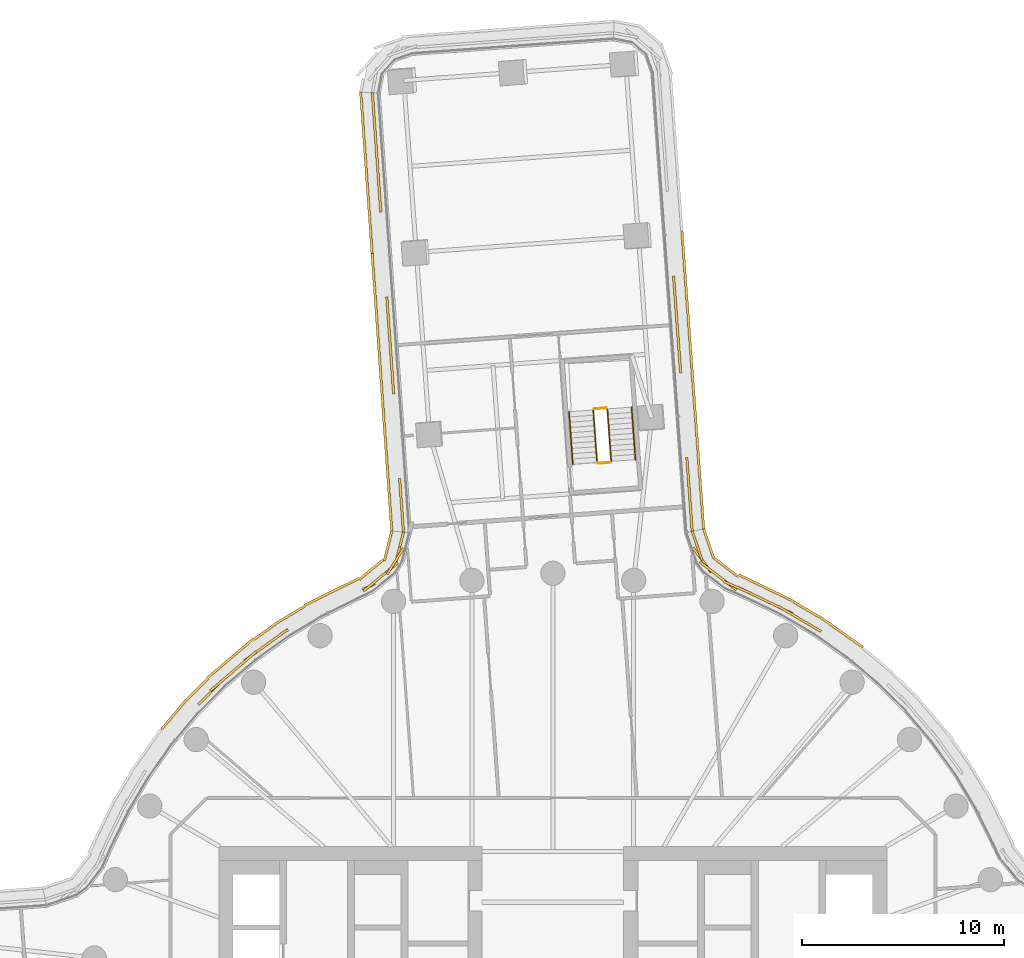
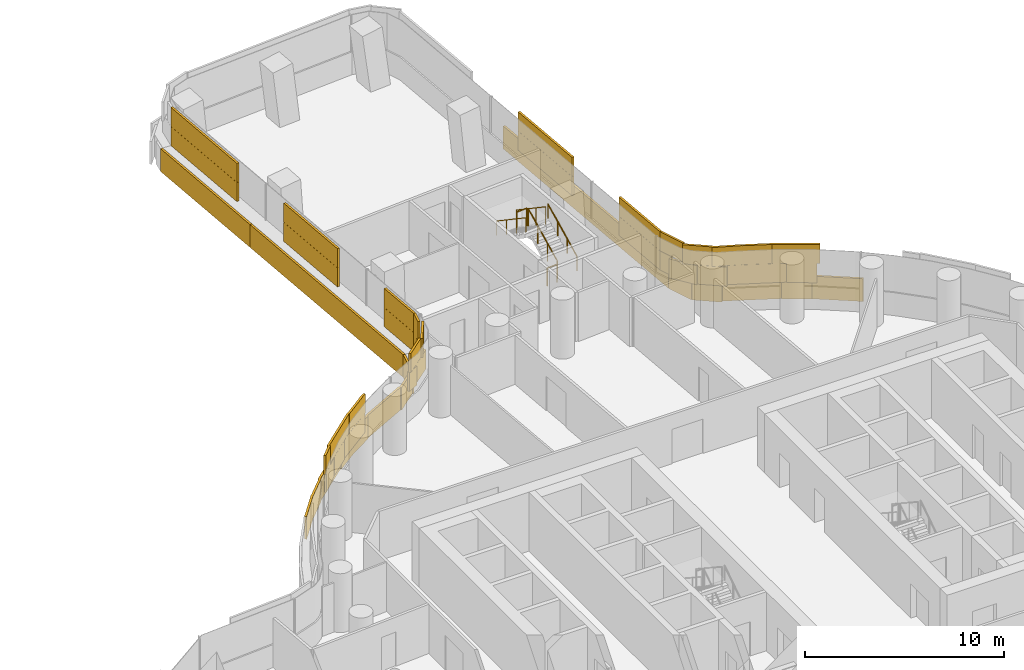
# One storey, part 30 of 31: 6 railings, 5 coverings.
"""IFC4 building model written with IfcOpenShell, lengths in metres."""

from ifc_helpers import new_model, si_unit, direction, frame, origin, origin_2d, place, context, subcontext, project, spatial, rectangle, circle, extrude, material, layer, layer_set, type_object, element, save


model = new_model("IFC4")

# Units and contexts
model_context = context("Model", 3, precision=1e-05, world=origin(), true_north=direction((0.0, 1.0)))
body_context = subcontext(model_context, "Body", "Model", "MODEL_VIEW")
ifc_project = project(units=[si_unit("LENGTHUNIT", "METRE"), si_unit("AREAUNIT", "SQUARE_METRE"), si_unit("VOLUMEUNIT", "CUBIC_METRE"), si_unit("PLANEANGLEUNIT", "RADIAN"), si_unit("MASSUNIT", "GRAM", prefix="KILO")], contexts=[model_context])

# Site, building, storey
site_placement = place(None, origin())
site = spatial("IfcSite", under=ifc_project, at=site_placement, CompositionType="ELEMENT")
building_placement = place(site_placement, origin())
building = spatial("IfcBuilding", under=site, at=building_placement, Name="Tamarind Cross Interchange Tower", CompositionType="ELEMENT")
storey_placement = place(building_placement, frame((0.0, 0.0, 49.0)))
storey = spatial("IfcBuildingStorey", under=building, at=storey_placement, Name="L10", CompositionType="ELEMENT", Elevation=49.0)

# Railings
ifc_material_1 = material(Name="Stair guard")
railing_type_1 = type_object("IfcRailingType", Name="Stair guard", PredefinedType="GUARDRAIL", material=ifc_material_1)
railing_1_placement = place(storey_placement, frame((2.882080078125, 28.52734375, 0.17041015625)))
element("IfcRailing", 1, at=railing_1_placement, inside=storey, type_object=railing_type_1, Name="L10 ST4 stair guard 1", PredefinedType="GUARDRAIL", context=body_context, shape_type="SweptSolid", body=[
    extrude(circle(Radius=0.02392578125, at=origin_2d()), frame((0.0, 0.0, 1.076171875), z_axis=(-0.061017194995, 0.834058723343, 0.548290933658), x_axis=(-0.997334723639, -0.072961969708, 0.0)), (0.0, 0.0, 1.0), 3.10888671875),
    extrude(circle(Radius=0.02099609375, at=origin_2d()), origin(), (0.0, 0.0, 1.0), 1.052001953125),
    extrude(circle(Radius=0.02099609375, at=origin_2d()), frame((-0.063232421875, 0.8642578125, 0.568115234375)), (0.0, 0.0, 1.0), 1.052001953125),
    extrude(circle(Radius=0.02099609375, at=origin_2d()), frame((-0.12646484375, 1.728759765625, 1.136474609375)), (0.0, 0.0, 1.0), 1.052001953125),
    extrude(circle(Radius=0.02099609375, at=origin_2d()), frame((-0.189697265625, 2.593017578125, 1.70458984375)), (0.0, 0.0, 1.0), 1.052001953125),
])
railing_2_placement = place(storey_placement, frame((2.638916015625, 31.166748046875, 1.875)))
element("IfcRailing", 2, at=railing_2_placement, inside=storey, type_object=railing_type_1, Name="L10 ST4 stair guard 2", PredefinedType="GUARDRAIL", context=body_context, shape_type="SweptSolid", body=[
    extrude(circle(Radius=0.02392578125, at=origin_2d()), frame((0.0, 0.0, 1.076171875), z_axis=(-0.997343826647, -0.072837431648, 0.0), x_axis=(0.072837431648, -0.997343826647, 0.0)), (0.0, 0.0, 1.0), 0.60009765625),
    extrude(circle(Radius=0.02099609375, at=origin_2d()), origin(), (0.0, 0.0, 1.0), 1.052001953125),
    extrude(circle(Radius=0.02099609375, at=origin_2d()), frame((-0.598388671875, -0.043701171875, 0.0)), (0.0, 0.0, 1.0), 1.052001953125),
])
railing_3_placement = place(storey_placement, frame((1.994384765625, 31.0693359375, 2.04541015625)))
element("IfcRailing", 3, at=railing_3_placement, inside=storey, type_object=railing_type_1, Name="L10 ST4 stair guard 3", PredefinedType="GUARDRAIL", context=body_context, shape_type="SweptSolid", body=[
    extrude(circle(Radius=0.02392578125, at=origin_2d()), frame((0.0, 0.0, 1.076171875), z_axis=(0.060938957596, -0.834062717302, 0.548293559194), x_axis=(0.997341552337, 0.072868566483, 0.0)), (0.0, 0.0, 1.0), 3.10888671875),
    extrude(circle(Radius=0.02099609375, at=origin_2d()), origin(), (0.0, 0.0, 1.0), 1.052001953125),
    extrude(circle(Radius=0.02099609375, at=origin_2d()), frame((0.063232421875, -0.8642578125, 0.568115234375)), (0.0, 0.0, 1.0), 1.052001953125),
    extrude(circle(Radius=0.02099609375, at=origin_2d()), frame((0.126220703125, -1.728759765625, 1.136474609375)), (0.0, 0.0, 1.0), 1.052001953125),
    extrude(circle(Radius=0.02099609375, at=origin_2d()), frame((0.189453125, -2.593017578125, 1.70458984375)), (0.0, 0.0, 1.0), 1.052001953125),
])
railing_4_placement = place(storey_placement, frame((2.835693359375, 28.473876953125, 0.0)))
element("IfcRailing", 4, at=railing_4_placement, inside=storey, type_object=railing_type_1, Name="L10 ST4 stair guard 4", PredefinedType="GUARDRAIL", context=body_context, shape_type="SweptSolid", body=[
    extrude(circle(Radius=0.02392578125, at=origin_2d()), frame((0.0, 0.0, 1.076171875), z_axis=(-0.997343826647, -0.072837431648, 0.0), x_axis=(0.072837431648, -0.997343826647, 0.0)), (0.0, 0.0, 1.0), 0.60009765625),
    extrude(circle(Radius=0.02099609375, at=origin_2d()), origin(), (0.0, 0.0, 1.0), 1.052001953125),
    extrude(circle(Radius=0.02099609375, at=origin_2d()), frame((-0.598388671875, -0.043701171875, 0.0)), (0.0, 0.0, 1.0), 1.052001953125),
])
ifc_material_2 = material(Name="Stair handrail")
railing_type_2 = type_object("IfcRailingType", Name="Stair handrail", PredefinedType="HANDRAIL", material=ifc_material_2)
railing_5_placement = place(storey_placement, frame((4.078857421875, 28.61474609375, 0.17041015625)))
element("IfcRailing", 5, at=railing_5_placement, inside=storey, type_object=railing_type_2, Name="L10 ST4 stair handrail 1", PredefinedType="HANDRAIL", context=body_context, shape_type="SweptSolid", body=[
    extrude(circle(Radius=0.02392578125, at=origin_2d()), frame((0.0, 0.0, 0.8759765625), z_axis=(-0.060934966384, 0.834086614599, 0.548257648572), x_axis=(-0.997342050875, -0.072861742749, 0.0)), (0.0, 0.0, 1.0), 3.109130859375),
    extrude(circle(Radius=0.02099609375, at=origin_2d()), origin(), (0.0, 0.0, 1.0), 0.851806640625),
    extrude(circle(Radius=0.02099609375, at=origin_2d()), frame((-0.063232421875, 0.864501953125, 0.568115234375)), (0.0, 0.0, 1.0), 0.851806640625),
    extrude(circle(Radius=0.02099609375, at=origin_2d()), frame((-0.126220703125, 1.728759765625, 1.136474609375)), (0.0, 0.0, 1.0), 0.851806640625),
    extrude(circle(Radius=0.02099609375, at=origin_2d()), frame((-0.189453125, 2.59326171875, 1.70458984375)), (0.0, 0.0, 1.0), 0.851806640625),
])
railing_6_placement = place(storey_placement, frame((0.797607421875, 30.98193359375, 2.04541015625)))
element("IfcRailing", 6, at=railing_6_placement, inside=storey, type_object=railing_type_2, Name="L10 ST4 stair handrail 2", PredefinedType="HANDRAIL", context=body_context, shape_type="SweptSolid", body=[
    extrude(circle(Radius=0.02392578125, at=origin_2d()), frame((0.0, 0.0, 0.8759765625), z_axis=(0.060938957596, -0.834062717302, 0.548293559194), x_axis=(0.997341552337, 0.072868566483, 0.0)), (0.0, 0.0, 1.0), 3.10888671875),
    extrude(circle(Radius=0.02099609375, at=origin_2d()), origin(), (0.0, 0.0, 1.0), 0.851806640625),
    extrude(circle(Radius=0.02099609375, at=origin_2d()), frame((0.063232421875, -0.8642578125, 0.568115234375)), (0.0, 0.0, 1.0), 0.851806640625),
    extrude(circle(Radius=0.02099609375, at=origin_2d()), frame((0.126220703125, -1.728759765625, 1.136474609375)), (0.0, 0.0, 1.0), 0.851806640625),
    extrude(circle(Radius=0.02099609375, at=origin_2d()), frame((0.189453125, -2.593017578125, 1.70458984375)), (0.0, 0.0, 1.0), 0.851806640625),
])

# Coverings
ifc_material_3 = material(Name="Terracotta", Category="masonry")
ifc_layer = layer(ifc_material_3, 0.1201171875)
ifc_layer_set = layer_set([ifc_layer], Name="Terracotta")
covering_type = type_object("IfcCoveringType", Name="Terracotta baguette screen unit", PredefinedType="MOLDING", material=ifc_layer_set)
covering_1_placement = place(storey_placement, origin())
element("IfcCovering", 7, at=covering_1_placement, inside=storey, type_object=covering_type, Name="SCR-L10-01-00", PredefinedType="MOLDING", context=body_context, shape_type="SweptSolid", body=[
    extrude(rectangle(XDim=1.510009765625, YDim=0.1201171875, at=origin_2d()), frame((-8.86376953125, 45.99267578125, 1.404052734375), z_axis=(0.0, 0.0, 1.0), x_axis=(0.070593780008, -0.997505146966, 0.0)), (0.0, 0.0, 1.0), 1.1669921875),
    extrude(rectangle(XDim=1.52001953125, YDim=0.1201171875, at=origin_2d()), frame((-8.7578125, 44.496337890625, 1.404052734375), z_axis=(0.0, 0.0, 1.0), x_axis=(0.070593780008, -0.997505146966, 0.0)), (0.0, 0.0, 1.0), 1.1669921875),
    extrude(rectangle(XDim=1.52001953125, YDim=0.1201171875, at=origin_2d()), frame((-8.65185546875, 43.0, 1.404052734375), z_axis=(0.0, 0.0, 1.0), x_axis=(0.070593780008, -0.997505146966, 0.0)), (0.0, 0.0, 1.0), 1.1669921875),
    extrude(rectangle(XDim=1.421630859375, YDim=0.1201171875, at=origin_2d()), frame((-8.549072265625, 41.5478515625, 1.404052734375), z_axis=(0.0, 0.0, 1.0), x_axis=(0.070593780008, -0.997505146966, 0.0)), (0.0, 0.0, 1.0), 1.1669921875),
    extrude(rectangle(XDim=0.760009765625, YDim=0.1201171875, at=origin_2d()), frame((-8.89013671875, 46.36669921875, 2.5791015625), z_axis=(0.0, 0.0, 1.0), x_axis=(0.070593780008, -0.997505146966, 0.0)), (0.0, 0.0, 1.0), 1.1669921875),
    extrude(rectangle(XDim=1.52001953125, YDim=0.1201171875, at=origin_2d()), frame((-8.810791015625, 45.244384765625, 2.5791015625), z_axis=(0.0, 0.0, 1.0), x_axis=(0.070593780008, -0.997505146966, 0.0)), (0.0, 0.0, 1.0), 1.1669921875),
    extrude(rectangle(XDim=1.52001953125, YDim=0.1201171875, at=origin_2d()), frame((-8.704833984375, 43.748291015625, 2.5791015625), z_axis=(0.0, 0.0, 1.0), x_axis=(0.070593780008, -0.997505146966, 0.0)), (0.0, 0.0, 1.0), 1.1669921875),
    extrude(rectangle(XDim=1.52001953125, YDim=0.1201171875, at=origin_2d()), frame((-8.59912109375, 42.251953125, 2.5791015625), z_axis=(0.0, 0.0, 1.0), x_axis=(0.070593780008, -0.997505146966, 0.0)), (0.0, 0.0, 1.0), 1.1669921875),
    extrude(rectangle(XDim=0.671630859375, YDim=0.1201171875, at=origin_2d()), frame((-8.522705078125, 41.173828125, 2.5791015625), z_axis=(0.0, 0.0, 1.0), x_axis=(0.070593780008, -0.997505146966, 0.0)), (0.0, 0.0, 1.0), 1.1669921875),
    extrude(rectangle(XDim=1.510009765625, YDim=0.1201171875, at=origin_2d()), frame((-9.441162109375, 46.021728515625, 0.00390625), z_axis=(0.0, 0.0, 1.0), x_axis=(0.070593780008, -0.997505146966, 0.0)), (0.0, 0.0, 1.0), 1.39208984375),
    extrude(rectangle(XDim=1.52001953125, YDim=0.1201171875, at=origin_2d()), frame((-9.335693359375, 44.530517578125, 0.00390625), z_axis=(0.0, 0.0, 1.0), x_axis=(0.070593780008, -0.997505146966, 0.0)), (0.0, 0.0, 1.0), 1.39208984375),
    extrude(rectangle(XDim=1.52001953125, YDim=0.1201171875, at=origin_2d()), frame((-9.229736328125, 43.0341796875, 0.00390625), z_axis=(0.0, 0.0, 1.0), x_axis=(0.070593780008, -0.997505146966, 0.0)), (0.0, 0.0, 1.0), 1.39208984375),
    extrude(rectangle(XDim=1.52001953125, YDim=0.1201171875, at=origin_2d()), frame((-9.1240234375, 41.5380859375, 0.00390625), z_axis=(0.0, 0.0, 1.0), x_axis=(0.070593780008, -0.997505146966, 0.0)), (0.0, 0.0, 1.0), 1.39208984375),
    extrude(rectangle(XDim=1.52001953125, YDim=0.1201171875, at=origin_2d()), frame((-9.01806640625, 40.041748046875, 0.00390625), z_axis=(0.0, 0.0, 1.0), x_axis=(0.070593780008, -0.997505146966, 0.0)), (0.0, 0.0, 1.0), 1.39208984375),
    extrude(rectangle(XDim=0.515625, YDim=0.1201171875, at=origin_2d()), frame((-8.947509765625, 39.04638671875, 0.00390625), z_axis=(0.0, 0.0, 1.0), x_axis=(0.070593780008, -0.997505146966, 0.0)), (0.0, 0.0, 1.0), 1.39208984375),
])
covering_2_placement = place(storey_placement, origin())
element("IfcCovering", 8, at=covering_2_placement, inside=storey, type_object=covering_type, Name="SCR-L10-01-01", PredefinedType="MOLDING", context=body_context, shape_type="SweptSolid", body=[
    extrude(rectangle(XDim=0.398193359375, YDim=0.1201171875, at=origin_2d()), frame((-8.189208984375, 36.46044921875, 1.404052734375), z_axis=(0.0, 0.0, 1.0), x_axis=(0.070593780008, -0.997505146966, 0.0)), (0.0, 0.0, 1.0), 1.1669921875),
    extrude(rectangle(XDim=1.52001953125, YDim=0.1201171875, at=origin_2d()), frame((-8.12255859375, 35.518798828125, 1.404052734375), z_axis=(0.0, 0.0, 1.0), x_axis=(0.070593780008, -0.997505146966, 0.0)), (0.0, 0.0, 1.0), 1.1669921875),
    extrude(rectangle(XDim=1.52001953125, YDim=0.1201171875, at=origin_2d()), frame((-8.0166015625, 34.0224609375, 1.404052734375), z_axis=(0.0, 0.0, 1.0), x_axis=(0.070593780008, -0.997505146966, 0.0)), (0.0, 0.0, 1.0), 1.1669921875),
    extrude(rectangle(XDim=1.420654296875, YDim=0.1201171875, at=origin_2d()), frame((-7.913818359375, 32.57080078125, 1.404052734375), z_axis=(0.0, 0.0, 1.0), x_axis=(0.070593780008, -0.997505146966, 0.0)), (0.0, 0.0, 1.0), 1.1669921875),
    extrude(rectangle(XDim=0.3994140625, YDim=0.1201171875, at=origin_2d()), frame((-7.553955078125, 27.4833984375, 1.404052734375), z_axis=(0.0, 0.0, 1.0), x_axis=(0.070593780008, -0.997505146966, 0.0)), (0.0, 0.0, 1.0), 1.1669921875),
    extrude(rectangle(XDim=1.52001953125, YDim=0.1201171875, at=origin_2d()), frame((-7.487060546875, 26.541259765625, 1.404052734375), z_axis=(0.0, 0.0, 1.0), x_axis=(0.070593780008, -0.997505146966, 0.0)), (0.0, 0.0, 1.0), 1.1669921875),
    extrude(rectangle(XDim=0.769287109375, YDim=0.1201171875, at=origin_2d()), frame((-7.407470703125, 25.414306640625, 1.404052734375), z_axis=(0.0, 0.0, 1.0), x_axis=(0.070593780008, -0.997505146966, 0.0)), (0.0, 0.0, 1.0), 1.1669921875),
    extrude(rectangle(XDim=1.148193359375, YDim=0.1201171875, at=origin_2d()), frame((-8.16259765625, 36.08642578125, 2.5791015625), z_axis=(0.0, 0.0, 1.0), x_axis=(0.070593780008, -0.997505146966, 0.0)), (0.0, 0.0, 1.0), 1.1669921875),
    extrude(rectangle(XDim=1.52001953125, YDim=0.1201171875, at=origin_2d()), frame((-8.069580078125, 34.770751953125, 2.5791015625), z_axis=(0.0, 0.0, 1.0), x_axis=(0.070593780008, -0.997505146966, 0.0)), (0.0, 0.0, 1.0), 1.1669921875),
    extrude(rectangle(XDim=1.52001953125, YDim=0.1201171875, at=origin_2d()), frame((-7.963623046875, 33.2744140625, 2.5791015625), z_axis=(0.0, 0.0, 1.0), x_axis=(0.070593780008, -0.997505146966, 0.0)), (0.0, 0.0, 1.0), 1.1669921875),
    extrude(rectangle(XDim=0.670654296875, YDim=0.1201171875, at=origin_2d()), frame((-7.887451171875, 32.19677734375, 2.5791015625), z_axis=(0.0, 0.0, 1.0), x_axis=(0.070593780008, -0.997505146966, 0.0)), (0.0, 0.0, 1.0), 1.1669921875),
    extrude(rectangle(XDim=1.1494140625, YDim=0.1201171875, at=origin_2d()), frame((-7.52734375, 27.109375, 2.5791015625), z_axis=(0.0, 0.0, 1.0), x_axis=(0.070593780008, -0.997505146966, 0.0)), (0.0, 0.0, 1.0), 1.1669921875),
    extrude(rectangle(XDim=1.52001953125, YDim=0.1201171875, at=origin_2d()), frame((-7.434326171875, 25.79296875, 2.5791015625), z_axis=(0.0, 0.0, 1.0), x_axis=(0.070593780008, -0.997505146966, 0.0)), (0.0, 0.0, 1.0), 1.1669921875),
    extrude(rectangle(XDim=1.00439453125, YDim=0.1201171875, at=origin_2d()), frame((-8.89404296875, 38.288330078125, 0.00390625), z_axis=(0.0, 0.0, 1.0), x_axis=(0.070593780008, -0.997505146966, 0.0)), (0.0, 0.0, 1.0), 1.39208984375),
    extrude(rectangle(XDim=1.52001953125, YDim=0.1201171875, at=origin_2d()), frame((-8.80615234375, 37.04931640625, 0.00390625), z_axis=(0.0, 0.0, 1.0), x_axis=(0.070593780008, -0.997505146966, 0.0)), (0.0, 0.0, 1.0), 1.39208984375),
    extrude(rectangle(XDim=1.52001953125, YDim=0.1201171875, at=origin_2d()), frame((-8.700439453125, 35.552978515625, 0.00390625), z_axis=(0.0, 0.0, 1.0), x_axis=(0.070593780008, -0.997505146966, 0.0)), (0.0, 0.0, 1.0), 1.39208984375),
    extrude(rectangle(XDim=1.52001953125, YDim=0.1201171875, at=origin_2d()), frame((-8.594482421875, 34.056640625, 0.00390625), z_axis=(0.0, 0.0, 1.0), x_axis=(0.070593780008, -0.997505146966, 0.0)), (0.0, 0.0, 1.0), 1.39208984375),
    extrude(rectangle(XDim=1.52001953125, YDim=0.1201171875, at=origin_2d()), frame((-8.488525390625, 32.560546875, 0.00390625), z_axis=(0.0, 0.0, 1.0), x_axis=(0.070593780008, -0.997505146966, 0.0)), (0.0, 0.0, 1.0), 1.39208984375),
    extrude(rectangle(XDim=1.52001953125, YDim=0.1201171875, at=origin_2d()), frame((-8.3828125, 31.064208984375, 0.00390625), z_axis=(0.0, 0.0, 1.0), x_axis=(0.070593780008, -0.997505146966, 0.0)), (0.0, 0.0, 1.0), 1.39208984375),
    extrude(rectangle(XDim=1.52001953125, YDim=0.1201171875, at=origin_2d()), frame((-8.27685546875, 29.56787109375, 0.00390625), z_axis=(0.0, 0.0, 1.0), x_axis=(0.070593780008, -0.997505146966, 0.0)), (0.0, 0.0, 1.0), 1.39208984375),
    extrude(rectangle(XDim=1.52001953125, YDim=0.1201171875, at=origin_2d()), frame((-8.1708984375, 28.07177734375, 0.00390625), z_axis=(0.0, 0.0, 1.0), x_axis=(0.070593780008, -0.997505146966, 0.0)), (0.0, 0.0, 1.0), 1.39208984375),
    extrude(rectangle(XDim=1.52001953125, YDim=0.1201171875, at=origin_2d()), frame((-8.06494140625, 26.575439453125, 0.00390625), z_axis=(0.0, 0.0, 1.0), x_axis=(0.070593780008, -0.997505146966, 0.0)), (0.0, 0.0, 1.0), 1.39208984375),
    extrude(rectangle(XDim=0.752685546875, YDim=0.1201171875, at=origin_2d()), frame((-7.986328125, 25.4619140625, 0.00390625), z_axis=(0.0, 0.0, 1.0), x_axis=(0.070593780008, -0.997505146966, 0.0)), (0.0, 0.0, 1.0), 1.39208984375),
])
covering_3_placement = place(storey_placement, origin())
element("IfcCovering", 9, at=covering_3_placement, inside=storey, type_object=covering_type, Name="SCR-L10-02-00", PredefinedType="MOLDING", context=body_context, shape_type="SweptSolid", body=[
    extrude(rectangle(XDim=1.510009765625, YDim=0.1201171875, at=origin_2d()), frame((-7.5625, 24.30810546875, 1.404052734375), z_axis=(0.0, 0.0, 1.0), x_axis=(-0.24254255307, -0.970140768111, 0.0)), (0.0, 0.0, 1.0), 1.1669921875),
    extrude(rectangle(XDim=1.52001953125, YDim=0.1201171875, at=origin_2d()), frame((-8.25537109375, 23.026123046875, 1.404052734375), z_axis=(0.0, 0.0, 1.0), x_axis=(-0.771273185869, -0.636504259812, 0.0)), (0.0, 0.0, 1.0), 1.1669921875),
    extrude(rectangle(XDim=0.6767578125, YDim=0.1201171875, at=origin_2d()), frame((-9.093017578125, 22.33984375, 1.404052734375), z_axis=(0.0, 0.0, 1.0), x_axis=(-0.901811396821, -0.432129846879, 0.0)), (0.0, 0.0, 1.0), 1.1669921875),
    extrude(rectangle(XDim=1.143310546875, YDim=0.1201171875, at=origin_2d()), frame((-13.558837890625, 19.89208984375, 1.404052734375), z_axis=(0.0, 0.0, 1.0), x_axis=(-0.811340475102, -0.584573890505, 0.0)), (0.0, 0.0, 1.0), 1.1669921875),
    extrude(rectangle(XDim=1.52001953125, YDim=0.1201171875, at=origin_2d()), frame((-14.627197265625, 19.12255859375, 1.404052734375), z_axis=(0.0, 0.0, 1.0), x_axis=(-0.811340475102, -0.584573890505, 0.0)), (0.0, 0.0, 1.0), 1.1669921875),
    extrude(rectangle(XDim=1.52001953125, YDim=0.1201171875, at=origin_2d()), frame((-15.783203125, 18.16796875, 1.404052734375), z_axis=(0.0, 0.0, 1.0), x_axis=(-0.760295606781, -0.64957723968, 0.0)), (0.0, 0.0, 1.0), 1.1669921875),
    extrude(rectangle(XDim=1.52001953125, YDim=0.1201171875, at=origin_2d()), frame((-16.884033203125, 17.151123046875, 1.404052734375), z_axis=(0.0, 0.0, 1.0), x_axis=(-0.704057148523, -0.710143317658, 0.0)), (0.0, 0.0, 1.0), 1.1669921875),
    extrude(rectangle(XDim=0.760009765625, YDim=0.1201171875, at=origin_2d()), frame((-7.4716796875, 24.671875, 2.5791015625), z_axis=(0.0, 0.0, 1.0), x_axis=(-0.24254255307, -0.970140768111, 0.0)), (0.0, 0.0, 1.0), 1.1669921875),
    extrude(rectangle(XDim=1.52001953125, YDim=0.1201171875, at=origin_2d()), frame((-7.783203125, 23.59716796875, 2.5791015625), z_axis=(0.0, 0.0, 1.0), x_axis=(-0.533651494929, -0.845704488554, 0.0)), (0.0, 0.0, 1.0), 1.1669921875),
    extrude(rectangle(XDim=1.4267578125, YDim=0.1201171875, at=origin_2d()), frame((-8.8017578125, 22.5751953125, 2.5791015625), z_axis=(0.0, 0.0, 1.0), x_axis=(-0.771273185869, -0.636504259812, 0.0)), (0.0, 0.0, 1.0), 1.1669921875),
    extrude(rectangle(XDim=0.393310546875, YDim=0.1201171875, at=origin_2d()), frame((-13.25439453125, 20.11083984375, 2.5791015625), z_axis=(0.0, 0.0, 1.0), x_axis=(-0.856843065292, -0.515577308909, 0.0)), (0.0, 0.0, 1.0), 1.1669921875),
    extrude(rectangle(XDim=1.52001953125, YDim=0.1201171875, at=origin_2d()), frame((-14.0185546875, 19.560791015625, 2.5791015625), z_axis=(0.0, 0.0, 1.0), x_axis=(-0.811340475102, -0.584573890505, 0.0)), (0.0, 0.0, 1.0), 1.1669921875),
    extrude(rectangle(XDim=1.52001953125, YDim=0.1201171875, at=origin_2d()), frame((-15.212890625, 18.6552734375, 2.5791015625), z_axis=(0.0, 0.0, 1.0), x_axis=(-0.760295606781, -0.64957723968, 0.0)), (0.0, 0.0, 1.0), 1.1669921875),
    extrude(rectangle(XDim=1.52001953125, YDim=0.1201171875, at=origin_2d()), frame((-16.353515625, 17.680908203125, 2.5791015625), z_axis=(0.0, 0.0, 1.0), x_axis=(-0.760295606781, -0.64957723968, 0.0)), (0.0, 0.0, 1.0), 1.1669921875),
    extrude(rectangle(XDim=0.895751953125, YDim=0.1201171875, at=origin_2d()), frame((-17.196044921875, 16.83642578125, 2.5791015625), z_axis=(0.0, 0.0, 1.0), x_axis=(-0.704057148523, -0.710143317658, 0.0)), (0.0, 0.0, 1.0), 1.1669921875),
    extrude(rectangle(XDim=1.510009765625, YDim=0.1201171875, at=origin_2d()), frame((-8.142822265625, 24.35400390625, 0.00390625), z_axis=(0.0, 0.0, 1.0), x_axis=(-0.24254255307, -0.970140768111, 0.0)), (0.0, 0.0, 1.0), 1.39208984375),
    extrude(rectangle(XDim=1.52001953125, YDim=0.1201171875, at=origin_2d()), frame((-8.97509765625, 23.176513671875, 0.00390625), z_axis=(0.0, 0.0, 1.0), x_axis=(-0.771273185869, -0.636504259812, 0.0)), (0.0, 0.0, 1.0), 1.39208984375),
    extrude(rectangle(XDim=1.52001953125, YDim=0.1201171875, at=origin_2d()), frame((-10.256103515625, 22.41552734375, 0.00390625), z_axis=(0.0, 0.0, 1.0), x_axis=(-0.896492548518, -0.443058811505, 0.0)), (0.0, 0.0, 1.0), 1.39208984375),
    extrude(rectangle(XDim=1.52001953125, YDim=0.1201171875, at=origin_2d()), frame((-11.600830078125, 21.7509765625, 0.00390625), z_axis=(0.0, 0.0, 1.0), x_axis=(-0.896492548518, -0.443058811505, 0.0)), (0.0, 0.0, 1.0), 1.39208984375),
    extrude(rectangle(XDim=1.52001953125, YDim=0.1201171875, at=origin_2d()), frame((-12.896240234375, 20.99609375, 0.00390625), z_axis=(0.0, 0.0, 1.0), x_axis=(-0.856843065292, -0.515577308909, 0.0)), (0.0, 0.0, 1.0), 1.39208984375),
    extrude(rectangle(XDim=1.52001953125, YDim=0.1201171875, at=origin_2d()), frame((-14.1494140625, 20.174072265625, 0.00390625), z_axis=(0.0, 0.0, 1.0), x_axis=(-0.811340475102, -0.584573890505, 0.0)), (0.0, 0.0, 1.0), 1.39208984375),
    extrude(rectangle(XDim=1.52001953125, YDim=0.1201171875, at=origin_2d()), frame((-15.35791015625, 19.286376953125, 0.00390625), z_axis=(0.0, 0.0, 1.0), x_axis=(-0.760295606781, -0.64957723968, 0.0)), (0.0, 0.0, 1.0), 1.39208984375),
    extrude(rectangle(XDim=1.52001953125, YDim=0.1201171875, at=origin_2d()), frame((-16.498291015625, 18.31201171875, 0.00390625), z_axis=(0.0, 0.0, 1.0), x_axis=(-0.760295606781, -0.64957723968, 0.0)), (0.0, 0.0, 1.0), 1.39208984375),
    extrude(rectangle(XDim=1.52001953125, YDim=0.1201171875, at=origin_2d()), frame((-17.5751953125, 17.26904296875, 0.00390625), z_axis=(0.0, 0.0, 1.0), x_axis=(-0.704057148523, -0.710143317658, 0.0)), (0.0, 0.0, 1.0), 1.39208984375),
    extrude(rectangle(XDim=1.52001953125, YDim=0.1201171875, at=origin_2d()), frame((-18.59521484375, 16.1708984375, 0.00390625), z_axis=(0.0, 0.0, 1.0), x_axis=(-0.643009266048, -0.765858396687, 0.0)), (0.0, 0.0, 1.0), 1.39208984375),
    extrude(rectangle(XDim=0.4072265625, YDim=0.1201171875, at=origin_2d()), frame((-19.2021484375, 15.4482421875, 0.00390625), z_axis=(0.0, 0.0, 1.0), x_axis=(-0.643009266048, -0.765858396687, 0.0)), (0.0, 0.0, 1.0), 1.39208984375),
])
covering_4_placement = place(storey_placement, origin())
element("IfcCovering", 10, at=covering_4_placement, inside=storey, type_object=covering_type, Name="SCR-L10-14-01", PredefinedType="MOLDING", context=body_context, shape_type="SweptSolid", body=[
    extrude(rectangle(XDim=1.52001953125, YDim=0.1201171875, at=origin_2d()), frame((12.45751953125, 20.592041015625, 1.404052734375), z_axis=(0.0, 0.0, 1.0), x_axis=(-0.861248933065, 0.508183308752, 0.0)), (0.0, 0.0, 1.0), 1.1669921875),
    extrude(rectangle(XDim=1.52001953125, YDim=0.1201171875, at=origin_2d()), frame((11.15625, 21.336669921875, 1.404052734375), z_axis=(0.0, 0.0, 1.0), x_axis=(-0.900272776334, 0.435326231914, 0.0)), (0.0, 0.0, 1.0), 1.1669921875),
    extrude(rectangle(XDim=1.52001953125, YDim=0.1201171875, at=origin_2d()), frame((9.8056640625, 21.98974609375, 1.404052734375), z_axis=(0.0, 0.0, 1.0), x_axis=(-0.900272776334, 0.435326231914, 0.0)), (0.0, 0.0, 1.0), 1.1669921875),
    extrude(rectangle(XDim=1.52001953125, YDim=0.1201171875, at=origin_2d()), frame((8.4619140625, 22.643798828125, 1.404052734375), z_axis=(0.0, 0.0, 1.0), x_axis=(-0.793968730623, 0.607958596282, 0.0)), (0.0, 0.0, 1.0), 1.1669921875),
    extrude(rectangle(XDim=1.52001953125, YDim=0.1201171875, at=origin_2d()), frame((7.37255859375, 23.655517578125, 1.404052734375), z_axis=(0.0, 0.0, 1.0), x_axis=(-0.593864192747, 0.804565299135, 0.0)), (0.0, 0.0, 1.0), 1.1669921875),
    extrude(rectangle(XDim=0.764404296875, YDim=0.1201171875, at=origin_2d()), frame((7.005859375, 24.720703125, 1.404052734375), z_axis=(0.0, 0.0, 1.0), x_axis=(-0.322738085139, 0.946488313927, 0.0)), (0.0, 0.0, 1.0), 1.1669921875),
    extrude(rectangle(XDim=0.924072265625, YDim=0.1201171875, at=origin_2d()), frame((12.85107421875, 20.359619140625, 2.5791015625), z_axis=(0.0, 0.0, 1.0), x_axis=(-0.861248933065, 0.508183308752, 0.0)), (0.0, 0.0, 1.0), 1.1669921875),
    extrude(rectangle(XDim=1.52001953125, YDim=0.1201171875, at=origin_2d()), frame((11.8115234375, 20.97314453125, 2.5791015625), z_axis=(0.0, 0.0, 1.0), x_axis=(-0.861248933065, 0.508183308752, 0.0)), (0.0, 0.0, 1.0), 1.1669921875),
    extrude(rectangle(XDim=1.52001953125, YDim=0.1201171875, at=origin_2d()), frame((10.48095703125, 21.663330078125, 2.5791015625), z_axis=(0.0, 0.0, 1.0), x_axis=(-0.900272776334, 0.435326231914, 0.0)), (0.0, 0.0, 1.0), 1.1669921875),
    extrude(rectangle(XDim=1.52001953125, YDim=0.1201171875, at=origin_2d()), frame((9.1220703125, 22.2978515625, 2.5791015625), z_axis=(0.0, 0.0, 1.0), x_axis=(-0.917176213406, 0.39848186102, 0.0)), (0.0, 0.0, 1.0), 1.1669921875),
    extrude(rectangle(XDim=1.52001953125, YDim=0.1201171875, at=origin_2d()), frame((7.866455078125, 23.099853515625, 2.5791015625), z_axis=(0.0, 0.0, 1.0), x_axis=(-0.793968730623, 0.607958596282, 0.0)), (0.0, 0.0, 1.0), 1.1669921875),
    extrude(rectangle(XDim=1.52001953125, YDim=0.1201171875, at=origin_2d()), frame((7.12744140625, 24.36376953125, 2.5791015625), z_axis=(0.0, 0.0, 1.0), x_axis=(-0.322738085139, 0.946488313927, 0.0)), (0.0, 0.0, 1.0), 1.1669921875),
    extrude(rectangle(XDim=1.11279296875, YDim=0.1201171875, at=origin_2d()), frame((14.853271484375, 19.674072265625, 0.00390625), z_axis=(0.0, 0.0, 1.0), x_axis=(-0.816341886298, 0.577568978284, 0.0)), (0.0, 0.0, 1.0), 1.39208984375),
    extrude(rectangle(XDim=1.52001953125, YDim=0.1201171875, at=origin_2d()), frame((13.794921875, 20.422607421875, 0.00390625), z_axis=(0.0, 0.0, 1.0), x_axis=(-0.816341886298, 0.577568978284, 0.0)), (0.0, 0.0, 1.0), 1.39208984375),
    extrude(rectangle(XDim=1.52001953125, YDim=0.1201171875, at=origin_2d()), frame((12.52490234375, 21.218505859375, 0.00390625), z_axis=(0.0, 0.0, 1.0), x_axis=(-0.861248933065, 0.508183308752, 0.0)), (0.0, 0.0, 1.0), 1.39208984375),
    extrude(rectangle(XDim=1.52001953125, YDim=0.1201171875, at=origin_2d()), frame((11.21435546875, 21.946044921875, 0.00390625), z_axis=(0.0, 0.0, 1.0), x_axis=(-0.900272776334, 0.435326231914, 0.0)), (0.0, 0.0, 1.0), 1.39208984375),
    extrude(rectangle(XDim=1.52001953125, YDim=0.1201171875, at=origin_2d()), frame((9.864013671875, 22.59912109375, 0.00390625), z_axis=(0.0, 0.0, 1.0), x_axis=(-0.900272776334, 0.435326231914, 0.0)), (0.0, 0.0, 1.0), 1.39208984375),
    extrude(rectangle(XDim=1.52001953125, YDim=0.1201171875, at=origin_2d()), frame((8.548828125, 23.30029296875, 0.00390625), z_axis=(0.0, 0.0, 1.0), x_axis=(-0.793968730623, 0.607958596282, 0.0)), (0.0, 0.0, 1.0), 1.39208984375),
    extrude(rectangle(XDim=1.52001953125, YDim=0.1201171875, at=origin_2d()), frame((7.696533203125, 24.473876953125, 0.00390625), z_axis=(0.0, 0.0, 1.0), x_axis=(-0.322738085139, 0.946488313927, 0.0)), (0.0, 0.0, 1.0), 1.39208984375),
])
covering_5_placement = place(storey_placement, origin())
element("IfcCovering", 11, at=covering_5_placement, inside=storey, type_object=covering_type, Name="SCR-L10-15-00", PredefinedType="MOLDING", context=body_context, shape_type="SweptSolid", body=[
    extrude(rectangle(XDim=1.510009765625, YDim=0.1201171875, at=origin_2d()), frame((6.829345703125, 25.82568359375, 1.404052734375), z_axis=(0.0, 0.0, 1.0), x_axis=(-0.072876138746, 0.997340999058, 0.0)), (0.0, 0.0, 1.0), 1.1669921875),
    extrude(rectangle(XDim=1.52001953125, YDim=0.1201171875, at=origin_2d()), frame((6.719970703125, 27.32177734375, 1.404052734375), z_axis=(0.0, 0.0, 1.0), x_axis=(-0.072876138746, 0.997340999058, 0.0)), (0.0, 0.0, 1.0), 1.1669921875),
    extrude(rectangle(XDim=0.65380859375, YDim=0.1201171875, at=origin_2d()), frame((6.641845703125, 28.390869140625, 1.404052734375), z_axis=(0.0, 0.0, 1.0), x_axis=(-0.072876138746, 0.997340999058, 0.0)), (0.0, 0.0, 1.0), 1.1669921875),
    extrude(rectangle(XDim=1.166259765625, YDim=0.1201171875, at=origin_2d()), frame((6.270263671875, 33.477294921875, 1.404052734375), z_axis=(0.0, 0.0, 1.0), x_axis=(-0.072876138746, 0.997340999058, 0.0)), (0.0, 0.0, 1.0), 1.1669921875),
    extrude(rectangle(XDim=1.52001953125, YDim=0.1201171875, at=origin_2d()), frame((6.173583984375, 34.8017578125, 1.404052734375), z_axis=(0.0, 0.0, 1.0), x_axis=(-0.072876138746, 0.997340999058, 0.0)), (0.0, 0.0, 1.0), 1.1669921875),
    extrude(rectangle(XDim=1.52001953125, YDim=0.1201171875, at=origin_2d()), frame((6.064208984375, 36.2978515625, 1.404052734375), z_axis=(0.0, 0.0, 1.0), x_axis=(-0.072876138746, 0.997340999058, 0.0)), (0.0, 0.0, 1.0), 1.1669921875),
    extrude(rectangle(XDim=0.65380859375, YDim=0.1201171875, at=origin_2d()), frame((5.986083984375, 37.366943359375, 1.404052734375), z_axis=(0.0, 0.0, 1.0), x_axis=(-0.072876138746, 0.997340999058, 0.0)), (0.0, 0.0, 1.0), 1.1669921875),
    extrude(rectangle(XDim=0.760009765625, YDim=0.1201171875, at=origin_2d()), frame((6.856689453125, 25.45166015625, 2.5791015625), z_axis=(0.0, 0.0, 1.0), x_axis=(-0.072876138746, 0.997340999058, 0.0)), (0.0, 0.0, 1.0), 1.1669921875),
    extrude(rectangle(XDim=1.52001953125, YDim=0.1201171875, at=origin_2d()), frame((6.774658203125, 26.57373046875, 2.5791015625), z_axis=(0.0, 0.0, 1.0), x_axis=(-0.072876138746, 0.997340999058, 0.0)), (0.0, 0.0, 1.0), 1.1669921875),
    extrude(rectangle(XDim=1.40380859375, YDim=0.1201171875, at=origin_2d()), frame((6.669189453125, 28.016845703125, 2.5791015625), z_axis=(0.0, 0.0, 1.0), x_axis=(-0.072876138746, 0.997340999058, 0.0)), (0.0, 0.0, 1.0), 1.1669921875),
    extrude(rectangle(XDim=0.416259765625, YDim=0.1201171875, at=origin_2d()), frame((6.297607421875, 33.103271484375, 2.5791015625), z_axis=(0.0, 0.0, 1.0), x_axis=(-0.072876138746, 0.997340999058, 0.0)), (0.0, 0.0, 1.0), 1.1669921875),
    extrude(rectangle(XDim=1.52001953125, YDim=0.1201171875, at=origin_2d()), frame((6.22802734375, 34.053955078125, 2.5791015625), z_axis=(0.0, 0.0, 1.0), x_axis=(-0.072876138746, 0.997340999058, 0.0)), (0.0, 0.0, 1.0), 1.1669921875),
    extrude(rectangle(XDim=1.52001953125, YDim=0.1201171875, at=origin_2d()), frame((6.118896484375, 35.5498046875, 2.5791015625), z_axis=(0.0, 0.0, 1.0), x_axis=(-0.072876138746, 0.997340999058, 0.0)), (0.0, 0.0, 1.0), 1.1669921875),
    extrude(rectangle(XDim=1.40380859375, YDim=0.1201171875, at=origin_2d()), frame((6.013427734375, 36.992919921875, 2.5791015625), z_axis=(0.0, 0.0, 1.0), x_axis=(-0.072876138746, 0.997340999058, 0.0)), (0.0, 0.0, 1.0), 1.1669921875),
    extrude(rectangle(XDim=1.510009765625, YDim=0.1201171875, at=origin_2d()), frame((7.39599609375, 25.9462890625, 0.00390625), z_axis=(0.0, 0.0, 1.0), x_axis=(-0.072876138746, 0.997340999058, 0.0)), (0.0, 0.0, 1.0), 1.39208984375),
    extrude(rectangle(XDim=1.52001953125, YDim=0.1201171875, at=origin_2d()), frame((7.287109375, 27.437255859375, 0.00390625), z_axis=(0.0, 0.0, 1.0), x_axis=(-0.072876138746, 0.997340999058, 0.0)), (0.0, 0.0, 1.0), 1.39208984375),
    extrude(rectangle(XDim=1.52001953125, YDim=0.1201171875, at=origin_2d()), frame((7.177734375, 28.93310546875, 0.00390625), z_axis=(0.0, 0.0, 1.0), x_axis=(-0.072876138746, 0.997340999058, 0.0)), (0.0, 0.0, 1.0), 1.39208984375),
    extrude(rectangle(XDim=1.52001953125, YDim=0.1201171875, at=origin_2d()), frame((7.068603515625, 30.42919921875, 0.00390625), z_axis=(0.0, 0.0, 1.0), x_axis=(-0.072876138746, 0.997340999058, 0.0)), (0.0, 0.0, 1.0), 1.39208984375),
    extrude(rectangle(XDim=1.52001953125, YDim=0.1201171875, at=origin_2d()), frame((6.959228515625, 31.92529296875, 0.00390625), z_axis=(0.0, 0.0, 1.0), x_axis=(-0.072876138746, 0.997340999058, 0.0)), (0.0, 0.0, 1.0), 1.39208984375),
    extrude(rectangle(XDim=1.52001953125, YDim=0.1201171875, at=origin_2d()), frame((6.849853515625, 33.421142578125, 0.00390625), z_axis=(0.0, 0.0, 1.0), x_axis=(-0.072876138746, 0.997340999058, 0.0)), (0.0, 0.0, 1.0), 1.39208984375),
    extrude(rectangle(XDim=1.52001953125, YDim=0.1201171875, at=origin_2d()), frame((6.740478515625, 34.917236328125, 0.00390625), z_axis=(0.0, 0.0, 1.0), x_axis=(-0.072876138746, 0.997340999058, 0.0)), (0.0, 0.0, 1.0), 1.39208984375),
    extrude(rectangle(XDim=1.52001953125, YDim=0.1201171875, at=origin_2d()), frame((6.63134765625, 36.413330078125, 0.00390625), z_axis=(0.0, 0.0, 1.0), x_axis=(-0.072876138746, 0.997340999058, 0.0)), (0.0, 0.0, 1.0), 1.39208984375),
    extrude(rectangle(XDim=1.52001953125, YDim=0.1201171875, at=origin_2d()), frame((6.52197265625, 37.9091796875, 0.00390625), z_axis=(0.0, 0.0, 1.0), x_axis=(-0.072876138746, 0.997340999058, 0.0)), (0.0, 0.0, 1.0), 1.39208984375),
    extrude(rectangle(XDim=1.2548828125, YDim=0.1201171875, at=origin_2d()), frame((6.42236328125, 39.273193359375, 0.00390625), z_axis=(0.0, 0.0, 1.0), x_axis=(-0.072876138746, 0.997340999058, 0.0)), (0.0, 0.0, 1.0), 1.39208984375),
])

save(model, "model.ifc")
